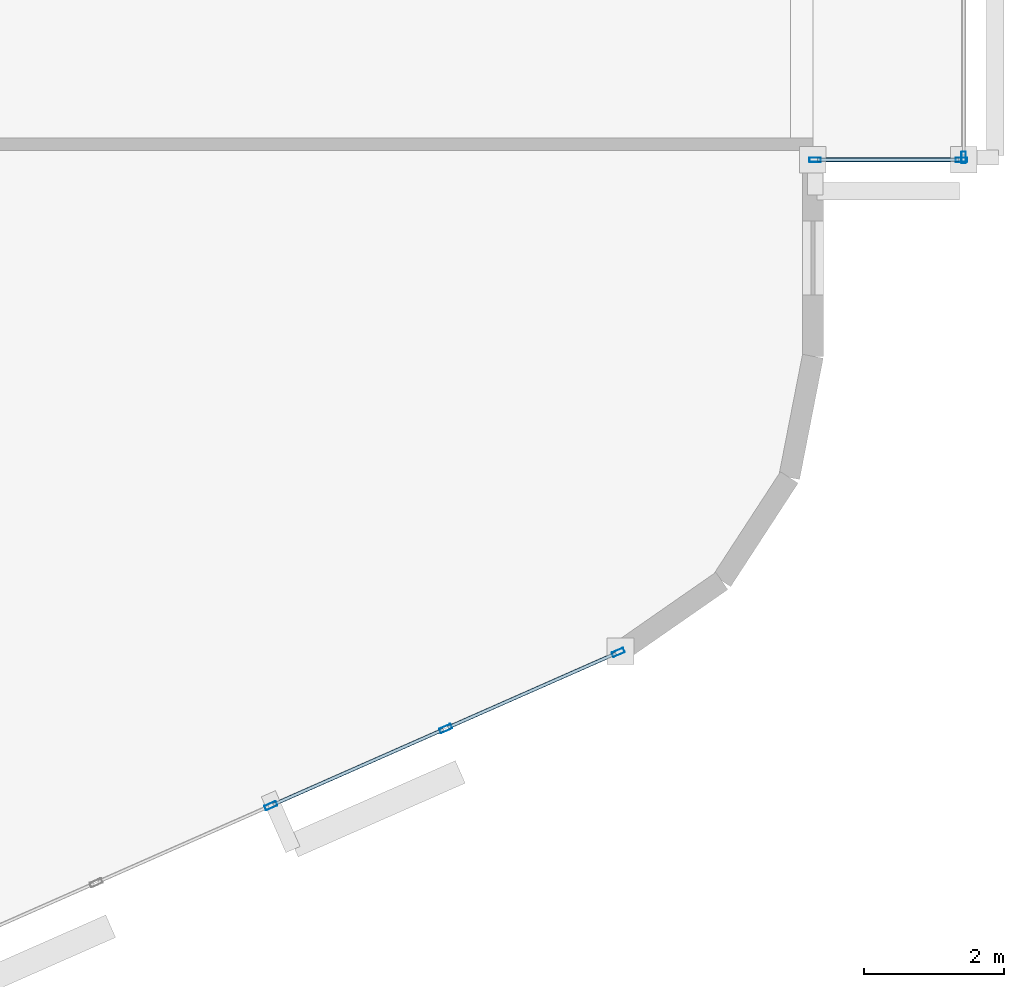
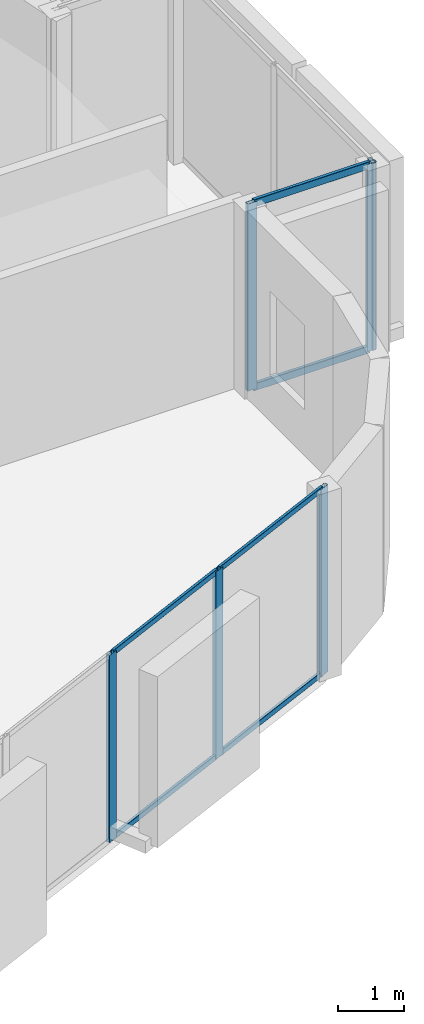
# One storey, part 4 of 13: 12 members, 3 elements without a shape of their own.
"""IFC4 building model written with IfcOpenShell, lengths in metres."""

from ifc_helpers import new_model, si_unit, direction, frame, origin, origin_2d, place, context, subcontext, project, spatial, hollow_rectangle, extrude, material, layer, layer_set, material_profile, profile_set, type_object, element, aggregate, save


model = new_model("IFC4")

# Units and contexts
model_context = context("Model", 3, precision=1e-05, world=origin(), true_north=direction((0.0, 1.0)))
body_context = subcontext(model_context, "Body", "Model", "MODEL_VIEW")
ifc_project = project(units=[si_unit("LENGTHUNIT", "METRE"), si_unit("AREAUNIT", "SQUARE_METRE"), si_unit("VOLUMEUNIT", "CUBIC_METRE"), si_unit("PLANEANGLEUNIT", "RADIAN"), si_unit("MASSUNIT", "GRAM", prefix="KILO")], contexts=[model_context])

# Site, building, storey
site_placement = place(None, origin())
site = spatial("IfcSite", under=ifc_project, at=site_placement, CompositionType="ELEMENT")
building_placement = place(site_placement, origin())
building = spatial("IfcBuilding", under=site, at=building_placement, Name="An Khanh Terracotta Commons", CompositionType="ELEMENT")
storey_placement = place(building_placement, frame((0.0, 0.0, 277.050048828125)))
storey = spatial("IfcBuildingStorey", under=building, at=storey_placement, Name="L72", CompositionType="ELEMENT", Elevation=277.050048828125)

# Curtain wall, member
ifc_material = material(Name="Anodised Aluminium 6063-T6", Category="aluminium")
ifc_layer_1 = layer(ifc_material, 0.239990234375, Name="Anodised Aluminium 6063-T6")
ifc_layer_set_1 = layer_set([ifc_layer_1], Name="Anodised Aluminium 6063-T6")
curtain_wall_type_1 = type_object("IfcCurtainWallType", Name="CW-SYS-04", PredefinedType="USERDEFINED", material=ifc_layer_set_1)
curtain_wall_1_placement = place(storey_placement, origin())
curtain_wall_1 = element("IfcCurtainWall", 1, at=curtain_wall_1_placement, inside=storey, type_object=curtain_wall_type_1, Name="L72 CW-04 Unitised Curtain Wall CW-L72-EBOX-1", ObjectType="UNITISED CURTAIN WALL", PredefinedType="USERDEFINED")
ifc_material_profile_1 = material_profile(ifc_material, hollow_rectangle(XDim=0.06494140625, YDim=0.1650390625, WallThickness=0.00390625, InnerFilletRadius=0.00390625, OuterFilletRadius=0.008056640625, at=origin_2d()), Name="RHS165x65x4")
ifc_profile_set_1 = profile_set([ifc_material_profile_1], Name="Anodised Aluminium 6063-T6")
member_type_1 = type_object("IfcMemberType", Name="CWM-RHS165x65x4", PredefinedType="MULLION", material=ifc_profile_set_1)
member_1_placement = place(storey_placement, frame((77.75, 22.632568359375, 0.0), z_axis=(0.0, 0.0, 1.0), x_axis=(-1.0, 0.0, 0.0)))
member_1 = element("IfcMember", 2, at=member_1_placement, type_object=member_type_1, Name="CW-04 mullion 1", PredefinedType="MULLION", context=body_context, shape_type="SweptSolid", body=[
    extrude(hollow_rectangle(XDim=0.06494140625, YDim=0.1650390625, WallThickness=0.00390625, InnerFilletRadius=0.00390625, OuterFilletRadius=0.008056640625, at=origin_2d()), origin(), (0.0, 0.0, 1.0), 3.449951171875),
])
aggregate(curtain_wall_1, [member_1])

# Curtain wall, members
curtain_wall_2_placement = place(storey_placement, origin())
curtain_wall_2 = element("IfcCurtainWall", 3, at=curtain_wall_2_placement, inside=storey, type_object=curtain_wall_type_1, Name="L72 CW-04 Unitised Curtain Wall CW-L72-EBOX-2", ObjectType="UNITISED CURTAIN WALL", PredefinedType="USERDEFINED")
member_2_placement = place(storey_placement, frame((75.632568359375, 22.60009765625, 0.0), z_axis=(0.0, 0.0, 1.0), x_axis=(0.0, 1.0, 0.0)))
member_2 = element("IfcMember", 4, at=member_2_placement, type_object=member_type_1, Name="CW-04 mullion 1", PredefinedType="MULLION", context=body_context, shape_type="SweptSolid", body=[
    extrude(hollow_rectangle(XDim=0.06494140625, YDim=0.1650390625, WallThickness=0.00390625, InnerFilletRadius=0.00390625, OuterFilletRadius=0.008056640625, at=origin_2d()), origin(), (0.0, 0.0, 1.0), 3.449951171875),
])
member_3_placement = place(storey_placement, frame((77.717529296875, 22.60009765625, 0.0), z_axis=(0.0, 0.0, 1.0), x_axis=(0.0, 1.0, 0.0)))
member_3 = element("IfcMember", 5, at=member_3_placement, type_object=member_type_1, Name="CW-04 mullion 2", PredefinedType="MULLION", context=body_context, shape_type="SweptSolid", body=[
    extrude(hollow_rectangle(XDim=0.06494140625, YDim=0.1650390625, WallThickness=0.00390625, InnerFilletRadius=0.00390625, OuterFilletRadius=0.008056640625, at=origin_2d()), origin(), (0.0, 0.0, 1.0), 3.449951171875),
])

ifc_layer_2 = layer(ifc_material, 0.2099609375, Name="Anodised Aluminium 6063-T6")
ifc_layer_set_2 = layer_set([ifc_layer_2], Name="Anodised Aluminium 6063-T6")
curtain_wall_type_2 = type_object("IfcCurtainWallType", Name="CW-SYS-03", PredefinedType="USERDEFINED", material=ifc_layer_set_2)
curtain_wall_3_placement = place(storey_placement, origin())
curtain_wall_3 = element("IfcCurtainWall", 6, at=curtain_wall_3_placement, inside=storey, type_object=curtain_wall_type_2, Name="L72 CW-03 Unitised Curtain Wall CW-L72-08", ObjectType="UNITISED CURTAIN WALL", PredefinedType="USERDEFINED")
ifc_material_profile_2 = material_profile(ifc_material, hollow_rectangle(XDim=0.070068359375, YDim=0.179931640625, WallThickness=0.00390625, InnerFilletRadius=0.00390625, OuterFilletRadius=0.008056640625, at=origin_2d()), Name="RHS180x70x4")
ifc_profile_set_2 = profile_set([ifc_material_profile_2], Name="Anodised Aluminium 6063-T6")
member_type_2 = type_object("IfcMemberType", Name="CWM-RHS180x70x4", PredefinedType="MULLION", material=ifc_profile_set_2)
member_4_placement = place(storey_placement, frame((67.8720703125, 13.390380859375, 0.0), z_axis=(0.0, 0.0, 1.0), x_axis=(-0.403676354285, 0.914901853201, 0.0)))
member_4 = element("IfcMember", 7, at=member_4_placement, type_object=member_type_2, Name="CW-03 mullion 3", PredefinedType="MULLION", context=body_context, shape_type="SweptSolid", body=[
    extrude(hollow_rectangle(XDim=0.070068359375, YDim=0.179931640625, WallThickness=0.00390625, InnerFilletRadius=0.00390625, OuterFilletRadius=0.008056640625, at=origin_2d()), origin(), (0.0, 0.0, 1.0), 3.449951171875),
])
member_5_placement = place(storey_placement, frame((70.364501953125, 14.490234375, 0.0), z_axis=(0.0, 0.0, 1.0), x_axis=(-0.403676354285, 0.914901853201, 0.0)))
member_5 = element("IfcMember", 8, at=member_5_placement, type_object=member_type_2, Name="CW-03 mullion 4", PredefinedType="MULLION", context=body_context, shape_type="SweptSolid", body=[
    extrude(hollow_rectangle(XDim=0.070068359375, YDim=0.179931640625, WallThickness=0.00390625, InnerFilletRadius=0.00390625, OuterFilletRadius=0.008056640625, at=origin_2d()), origin(), (0.0, 0.0, 1.0), 3.449951171875),
])
member_6_placement = place(storey_placement, frame((72.824951171875, 15.575927734375, 0.0), z_axis=(0.0, 0.0, 1.0), x_axis=(-0.403676354285, 0.914901853201, 0.0)))
member_6 = element("IfcMember", 9, at=member_6_placement, type_object=member_type_2, Name="CW-03 mullion 5", PredefinedType="MULLION", context=body_context, shape_type="SweptSolid", body=[
    extrude(hollow_rectangle(XDim=0.070068359375, YDim=0.179931640625, WallThickness=0.00390625, InnerFilletRadius=0.00390625, OuterFilletRadius=0.008056640625, at=origin_2d()), origin(), (0.0, 0.0, 1.0), 3.449951171875),
])
ifc_material_profile_3 = material_profile(ifc_material, hollow_rectangle(XDim=0.050048828125, YDim=0.10009765625, WallThickness=0.003173828125, InnerFilletRadius=0.003173828125, OuterFilletRadius=0.00634765625, at=origin_2d()), Name="RHS100x50x3.2")
ifc_profile_set_3 = profile_set([ifc_material_profile_3], Name="Anodised Aluminium 6063-T6")
member_type_3 = type_object("IfcMemberType", Name="CWT-RHS100x50x3.2", PredefinedType="USERDEFINED", material=ifc_profile_set_3)
member_7_placement = place(storey_placement, frame((67.904052734375, 13.404541015625, 0.02490234375), z_axis=(0.914896820753, 0.403687759755, 0.0), x_axis=(-0.403687759755, 0.914896820753, 0.0)))
member_7 = element("IfcMember", 10, at=member_7_placement, type_object=member_type_3, Name="CW-03 transom 3.1", ObjectType="TRANSOM", PredefinedType="USERDEFINED", context=body_context, shape_type="SweptSolid", body=[
    extrude(hollow_rectangle(XDim=0.050048828125, YDim=0.10009765625, WallThickness=0.003173828125, InnerFilletRadius=0.003173828125, OuterFilletRadius=0.00634765625, at=origin_2d()), origin(), (0.0, 0.0, 1.0), 2.654296875),
])
member_8_placement = place(storey_placement, frame((67.904052734375, 13.404541015625, 3.425048828125), z_axis=(0.914896820753, 0.403687759755, 0.0), x_axis=(-0.403687759755, 0.914896820753, 0.0)))
member_8 = element("IfcMember", 11, at=member_8_placement, type_object=member_type_3, Name="CW-03 transom 3.2", ObjectType="TRANSOM", PredefinedType="USERDEFINED", context=body_context, shape_type="SweptSolid", body=[
    extrude(hollow_rectangle(XDim=0.050048828125, YDim=0.10009765625, WallThickness=0.003173828125, InnerFilletRadius=0.003173828125, OuterFilletRadius=0.00634765625, at=origin_2d()), origin(), (0.0, 0.0, 1.0), 2.654296875),
])
member_9_placement = place(storey_placement, frame((70.396484375, 14.50439453125, 0.02490234375), z_axis=(0.914903627858, 0.403672332137, 0.0), x_axis=(-0.403672332137, 0.914903627858, 0.0)))
member_9 = element("IfcMember", 12, at=member_9_placement, type_object=member_type_3, Name="CW-03 transom 4.1", ObjectType="TRANSOM", PredefinedType="USERDEFINED", context=body_context, shape_type="SweptSolid", body=[
    extrude(hollow_rectangle(XDim=0.050048828125, YDim=0.10009765625, WallThickness=0.003173828125, InnerFilletRadius=0.003173828125, OuterFilletRadius=0.00634765625, at=origin_2d()), origin(), (0.0, 0.0, 1.0), 2.619384765625),
])
member_10_placement = place(storey_placement, frame((70.396484375, 14.50439453125, 3.425048828125), z_axis=(0.914903627858, 0.403672332137, 0.0), x_axis=(-0.403672332137, 0.914903627858, 0.0)))
member_10 = element("IfcMember", 13, at=member_10_placement, type_object=member_type_3, Name="CW-03 transom 4.2", ObjectType="TRANSOM", PredefinedType="USERDEFINED", context=body_context, shape_type="SweptSolid", body=[
    extrude(hollow_rectangle(XDim=0.050048828125, YDim=0.10009765625, WallThickness=0.003173828125, InnerFilletRadius=0.003173828125, OuterFilletRadius=0.00634765625, at=origin_2d()), origin(), (0.0, 0.0, 1.0), 2.619384765625),
])
aggregate(curtain_wall_3, [member_4, member_5, member_6, member_7, member_8, member_9, member_10])

# Member
ifc_material_profile_4 = material_profile(ifc_material, hollow_rectangle(XDim=0.06005859375, YDim=0.135009765625, WallThickness=0.003662109375, InnerFilletRadius=0.003662109375, OuterFilletRadius=0.007080078125, at=origin_2d()), Name="RHS135x60x3.6")
ifc_profile_set_4 = profile_set([ifc_material_profile_4], Name="Anodised Aluminium 6063-T6")
member_type_4 = type_object("IfcMemberType", Name="CWT-RHS135x60x3.6", PredefinedType="USERDEFINED", material=ifc_profile_set_4)
member_11_placement = place(storey_placement, frame((75.6650390625, 22.60009765625, 0.030029296875), z_axis=(1.0, 0.0, 0.0), x_axis=(0.0, 1.0, 0.0)))
member_11 = element("IfcMember", 14, at=member_11_placement, type_object=member_type_4, Name="CW-04 transom 1.1", ObjectType="TRANSOM", PredefinedType="USERDEFINED", context=body_context, shape_type="SweptSolid", body=[
    extrude(hollow_rectangle(XDim=0.06005859375, YDim=0.135009765625, WallThickness=0.003662109375, InnerFilletRadius=0.003662109375, OuterFilletRadius=0.007080078125, at=origin_2d()), origin(), (0.0, 0.0, 1.0), 2.02001953125),
])

member_12_placement = place(storey_placement, frame((75.6650390625, 22.60009765625, 3.419921875), z_axis=(1.0, 0.0, 0.0), x_axis=(0.0, 1.0, 0.0)))
member_12 = element("IfcMember", 15, at=member_12_placement, type_object=member_type_4, Name="CW-04 transom 1.2", ObjectType="TRANSOM", PredefinedType="USERDEFINED", context=body_context, shape_type="SweptSolid", body=[
    extrude(hollow_rectangle(XDim=0.06005859375, YDim=0.135009765625, WallThickness=0.003662109375, InnerFilletRadius=0.003662109375, OuterFilletRadius=0.007080078125, at=origin_2d()), origin(), (0.0, 0.0, 1.0), 2.02001953125),
])

aggregate(curtain_wall_2, [member_2, member_3, member_11, member_12])

save(model, "model.ifc")
